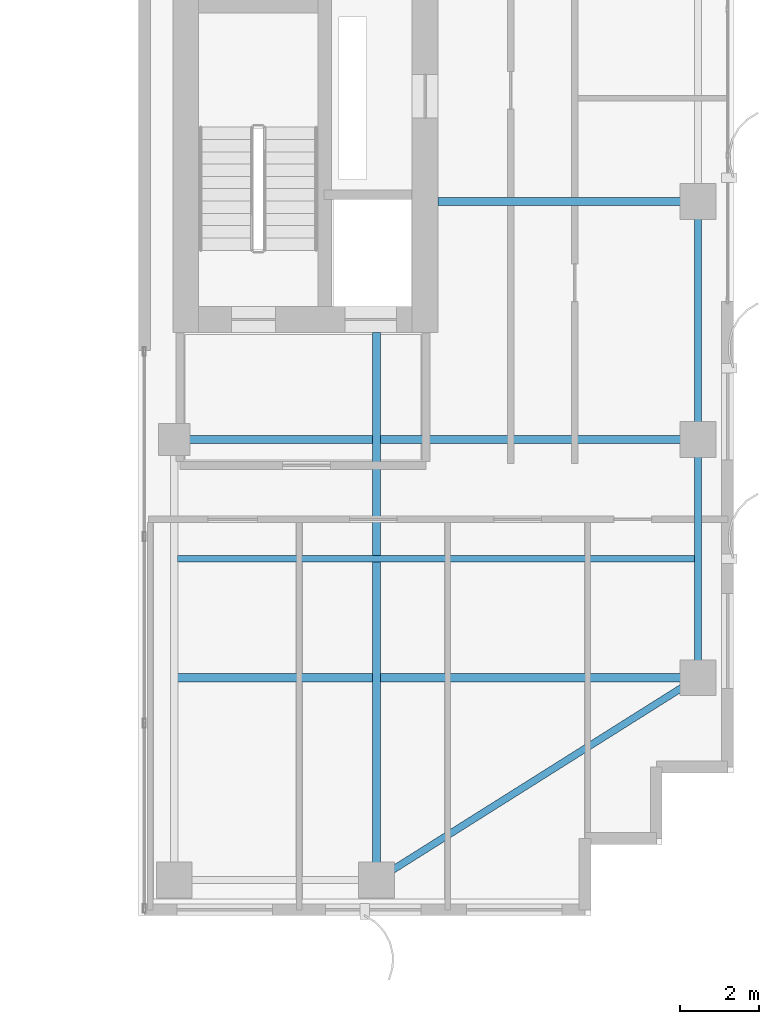
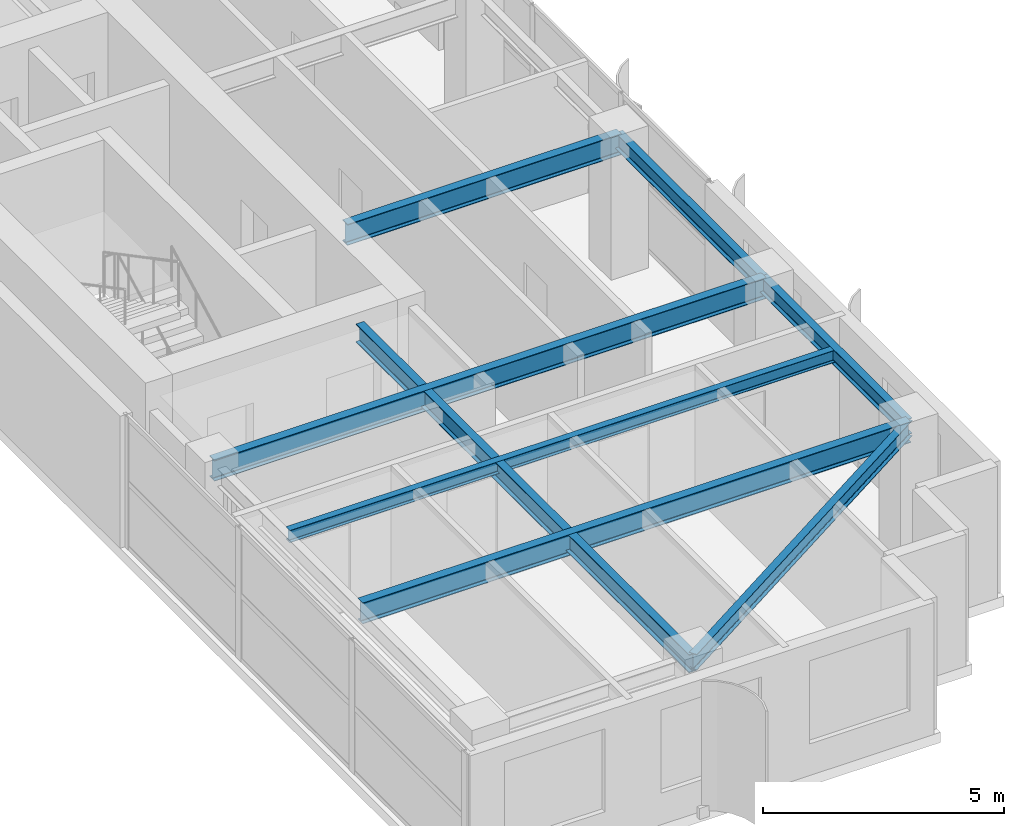
# One storey, part 10 of 22: 8 beams.
"""IFC4 building model written with IfcOpenShell, lengths in metres."""

from ifc_helpers import new_model, si_unit, direction, frame, origin, origin_2d, place, context, subcontext, project, spatial, i_section, extrude, source, transform, mapped, material, material_profile, profile_set, type_object, element, save


model = new_model("IFC4")

# Units and contexts
model_context = context("Model", 3, precision=1e-05, world=origin(), true_north=direction((0.0, 1.0)))
body_context = subcontext(model_context, "Body", "Model", "MODEL_VIEW")
ifc_project = project(units=[si_unit("LENGTHUNIT", "METRE"), si_unit("AREAUNIT", "SQUARE_METRE"), si_unit("VOLUMEUNIT", "CUBIC_METRE"), si_unit("PLANEANGLEUNIT", "RADIAN"), si_unit("MASSUNIT", "GRAM", prefix="KILO")], contexts=[model_context])

# Site, building, storey
site_placement = place(None, origin())
site = spatial("IfcSite", under=ifc_project, at=site_placement, CompositionType="ELEMENT")
building_placement = place(site_placement, origin())
building = spatial("IfcBuilding", under=site, at=building_placement, Name="Khoralis Quay Care Tower", CompositionType="ELEMENT")
storey_placement = place(building_placement, frame((0.0, 0.0, 188.10009765625)))
storey = spatial("IfcBuildingStorey", under=building, at=storey_placement, Name="L49", CompositionType="ELEMENT", Elevation=188.10009765625)

# Beams
ifc_material = material(Name="Steel S355", Category="steel")
ifc_material_profile_1 = material_profile(ifc_material, i_section(OverallWidth=0.179931640625, OverallDepth=0.39990234375, WebThickness=0.008544921875, FlangeThickness=0.013427734375, FilletRadius=0.02099609375, at=origin_2d()), Name="Steel S355")
ifc_profile_set_1 = profile_set([ifc_material_profile_1], Name="Steel S355")
beam_type_1 = type_object("IfcBeamType", Name="BM-IPE400", PredefinedType="SPANDREL", material=ifc_profile_set_1)
shared_shape_1 = source(origin(), body_context, "Body", "SweptSolid", [
    extrude(i_section(OverallWidth=0.179931640625, OverallDepth=0.39990234375, WebThickness=0.008544921875, FlangeThickness=0.013427734375, FilletRadius=0.02099609375, at=origin_2d()), origin(), (0.0, 0.0, 1.0), 6.0),
])
for number, where, z_axis, x_axis, name in (
    (1, (44.10009765625, 6.0, 3.139892578125), (0.0, 1.0, 0.0), (-1.0, 0.0, 0.0), "BM-TSP-L49-10"),
    (2, (44.10009765625, 12.0, 3.139892578125), (0.0, 1.0, 0.0), (-1.0, 0.0, 0.0), "BM-TSP-L49-11"),
):
    element("IfcBeam", number, at=place(storey_placement, frame(where, z_axis=z_axis, x_axis=x_axis)), inside=storey, type_object=beam_type_1, Name=name, PredefinedType="SPANDREL", context=body_context, shape_type="MappedRepresentation", body=[
        mapped(shared_shape_1, transform((0.0, 0.0, 0.0), scale=1.0)),
    ])
shared_shape_2 = source(origin(), body_context, "Body", "SweptSolid", [
    extrude(i_section(OverallWidth=0.179931640625, OverallDepth=0.39990234375, WebThickness=0.008544921875, FlangeThickness=0.013427734375, FilletRadius=0.02099609375, at=origin_2d()), origin(), (0.0, 0.0, 1.0), 9.572021484375),
])
beam_1_placement = place(storey_placement, frame((36.0, 0.89990234375, 3.139892578125), z_axis=(0.846231136359, 0.532815975602, 0.0), x_axis=(-0.532815975602, 0.846231136359, 0.0)))
element("IfcBeam", 3, at=beam_1_placement, inside=storey, type_object=beam_type_1, Name="BM-TCR-L49-16", PredefinedType="SPANDREL", context=body_context, shape_type="MappedRepresentation", body=[
    mapped(shared_shape_2, transform((0.0, 0.0, 0.0), scale=1.0)),
])
ifc_material_profile_2 = material_profile(ifc_material, i_section(OverallWidth=0.208984375, OverallDepth=0.532958984375, WebThickness=0.01025390625, FlangeThickness=0.015625, FilletRadius=0.01611328125, at=origin_2d()), Name="Steel S355")
ifc_profile_set_2 = profile_set([ifc_material_profile_2], Name="Steel S355")
beam_type_2 = type_object("IfcBeamType", Name="BM-W530X92", PredefinedType="BEAM", material=ifc_profile_set_2)
shared_shape_3 = source(origin(), body_context, "Body", "SweptSolid", [
    extrude(i_section(OverallWidth=0.208984375, OverallDepth=0.532958984375, WebThickness=0.01025390625, FlangeThickness=0.015625, FilletRadius=0.01611328125, at=origin_2d()), origin(), (0.0, 0.0, 1.0), 13.1162109375),
])
beam_2_placement = place(storey_placement, frame((30.98388671875, 6.0, 3.073486328125), z_axis=(1.0, 0.0, 0.0), x_axis=(0.0, 1.0, 0.0)))
element("IfcBeam", 4, at=beam_2_placement, inside=storey, type_object=beam_type_2, Name="BM-TGXE-L49-60", PredefinedType="BEAM", context=body_context, shape_type="MappedRepresentation", body=[
    mapped(shared_shape_3, transform((0.0, 0.0, 0.0), scale=1.0)),
])
shared_shape_4 = source(origin(), body_context, "Body", "SweptSolid", [
    extrude(i_section(OverallWidth=0.208984375, OverallDepth=0.532958984375, WebThickness=0.01025390625, FlangeThickness=0.015625, FilletRadius=0.01611328125, at=origin_2d()), origin(), (0.0, 0.0, 1.0), 13.2001953125),
])
beam_3_placement = place(storey_placement, frame((30.89990234375, 12.0, 3.073486328125), z_axis=(1.0, 0.0, 0.0), x_axis=(0.0, 1.0, 0.0)))
element("IfcBeam", 5, at=beam_3_placement, inside=storey, type_object=beam_type_2, Name="BM-TGXE-L49-120", PredefinedType="BEAM", context=body_context, shape_type="MappedRepresentation", body=[
    mapped(shared_shape_4, transform((0.0, 0.0, 0.0), scale=1.0)),
])
shared_shape_5 = source(origin(), body_context, "Body", "SweptSolid", [
    extrude(i_section(OverallWidth=0.208984375, OverallDepth=0.532958984375, WebThickness=0.01025390625, FlangeThickness=0.015625, FilletRadius=0.01611328125, at=origin_2d()), origin(), (0.0, 0.0, 1.0), 6.552001953125),
])
beam_4_placement = place(storey_placement, frame((37.548095703125, 18.0, 3.073486328125), z_axis=(1.0, 0.0, 0.0), x_axis=(0.0, 1.0, 0.0)))
element("IfcBeam", 6, at=beam_4_placement, inside=storey, type_object=beam_type_2, Name="BM-TGXE-L49-180", PredefinedType="BEAM", context=body_context, shape_type="MappedRepresentation", body=[
    mapped(shared_shape_5, transform((0.0, 0.0, 0.0), scale=1.0)),
])
ifc_material_profile_3 = material_profile(ifc_material, i_section(OverallWidth=0.19189453125, OverallDepth=0.462890625, WebThickness=0.010498046875, FlangeThickness=0.017578125, FilletRadius=0.014892578125, at=origin_2d()), Name="Steel S355")
ifc_profile_set_3 = profile_set([ifc_material_profile_3], Name="Steel S355")
beam_type_3 = type_object("IfcBeamType", Name="BM-W460X89", PredefinedType="BEAM", material=ifc_profile_set_3)
shared_shape_6 = source(origin(), body_context, "Body", "SweptSolid", [
    extrude(i_section(OverallWidth=0.19189453125, OverallDepth=0.462890625, WebThickness=0.010498046875, FlangeThickness=0.017578125, FilletRadius=0.014892578125, at=origin_2d()), origin(), (0.0, 0.0, 1.0), 13.802001953125),
])
beam_5_placement = place(storey_placement, frame((36.0, 0.89990234375, 3.1083984375), z_axis=(0.0, 1.0, 0.0), x_axis=(-1.0, 0.0, 0.0)))
element("IfcBeam", 7, at=beam_5_placement, inside=storey, type_object=beam_type_3, Name="BM-TGYS-L49-360", PredefinedType="BEAM", context=body_context, shape_type="MappedRepresentation", body=[
    mapped(shared_shape_6, transform((0.0, 0.0, 0.0), scale=1.0)),
])
ifc_material_profile_4 = material_profile(ifc_material, i_section(OverallWidth=0.1650390625, OverallDepth=0.31005859375, WebThickness=0.005859375, FlangeThickness=0.009765625, FilletRadius=0.011962890625, at=origin_2d()), Name="Steel S355")
ifc_profile_set_4 = profile_set([ifc_material_profile_4], Name="Steel S355")
beam_type_4 = type_object("IfcBeamType", Name="BM-W310X39", PredefinedType="JOIST", material=ifc_profile_set_4)
shared_shape_7 = source(origin(), body_context, "Body", "SweptSolid", [
    extrude(i_section(OverallWidth=0.1650390625, OverallDepth=0.31005859375, WebThickness=0.005859375, FlangeThickness=0.009765625, FilletRadius=0.011962890625, at=origin_2d()), origin(), (0.0, 0.0, 1.0), 13.0400390625),
])
beam_6_placement = place(storey_placement, frame((30.98388671875, 9.0, 3.184814453125), z_axis=(1.0, 0.0, 0.0), x_axis=(0.0, 1.0, 0.0)))
element("IfcBeam", 8, at=beam_6_placement, inside=storey, type_object=beam_type_4, Name="BM-TJS-L49-20", PredefinedType="JOIST", context=body_context, shape_type="MappedRepresentation", body=[
    mapped(shared_shape_7, transform((0.0, 0.0, 0.0), scale=1.0)),
])

save(model, "model.ifc")
